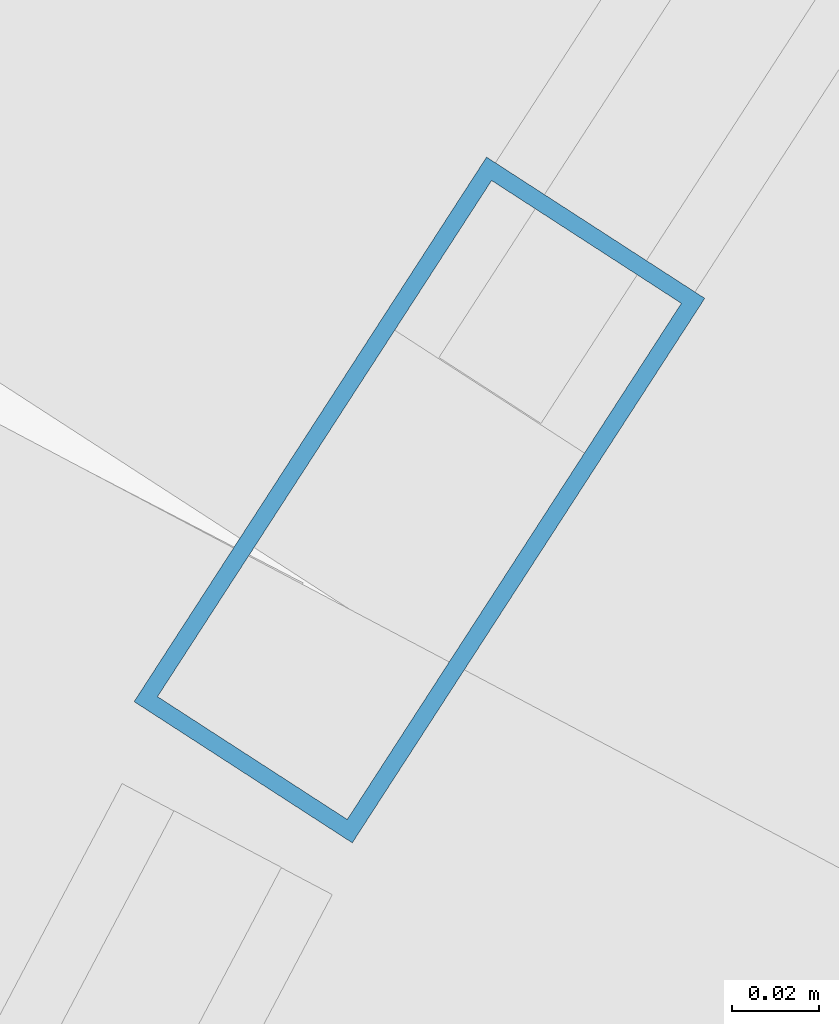
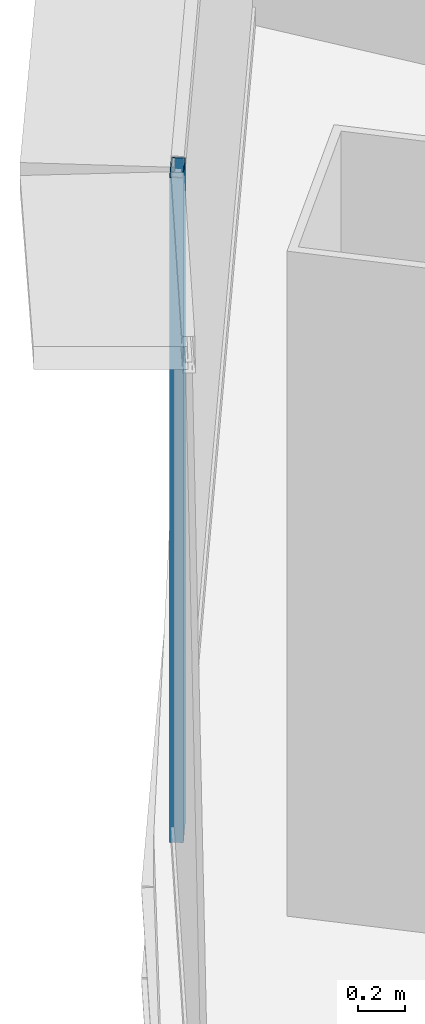
# One storey, part 16 of 39: 1 member, 1 element without a shape of its own.
"""IFC4 building model written with IfcOpenShell, lengths in metres."""

from ifc_helpers import new_model, si_unit, direction, frame, origin, origin_2d, place, context, subcontext, project, spatial, hollow_rectangle, extrude, source, transform, mapped, material, layer, layer_set, material_profile, profile_set, type_object, element, aggregate, save


model = new_model("IFC4")

# Units and contexts
model_context = context("Model", 3, precision=1e-05, world=origin(), true_north=direction((0.0, 1.0)))
body_context = subcontext(model_context, "Body", "Model", "MODEL_VIEW")
ifc_project = project(units=[si_unit("LENGTHUNIT", "METRE"), si_unit("AREAUNIT", "SQUARE_METRE"), si_unit("VOLUMEUNIT", "CUBIC_METRE"), si_unit("PLANEANGLEUNIT", "RADIAN"), si_unit("MASSUNIT", "GRAM", prefix="KILO"), si_unit("THERMODYNAMICTEMPERATUREUNIT", "KELVIN"), si_unit("POWERUNIT", "WATT")], contexts=[model_context])

# Site, building, storey
site_placement = place(None, origin())
site = spatial("IfcSite", under=ifc_project, at=site_placement, CompositionType="ELEMENT")
building_placement = place(site_placement, origin())
building = spatial("IfcBuilding", under=site, at=building_placement, Name="Yunzhuo Pagoda Commons", CompositionType="ELEMENT")
storey_placement = place(building_placement, frame((0.0, 0.0, 166.6298828125)))
storey = spatial("IfcBuildingStorey", under=building, at=storey_placement, Name="L42", CompositionType="ELEMENT", Elevation=166.6298828125)

# Curtain wall, member
ifc_material = material(Name="Anodized aluminium 6063-T6", Category="aluminium")
ifc_layer = layer(ifc_material, 0.14990234375)
ifc_layer_set = layer_set([ifc_layer], Name="Anodized aluminium 6063-T6")
curtain_wall_type = type_object("IfcCurtainWallType", Name="CW-MID Mid-Zone Ribbon Curtain Wall", PredefinedType="NOTDEFINED", material=ifc_layer_set)
curtain_wall_placement = place(storey_placement, origin())
curtain_wall = element("IfcCurtainWall", 1, at=curtain_wall_placement, inside=storey, type_object=curtain_wall_type, Name="L42 curtain wall CW-L42-F3B2", PredefinedType="NOTDEFINED")
ifc_material_profile = material_profile(ifc_material, hollow_rectangle(XDim=0.06005859375, YDim=0.14990234375, WallThickness=0.00390625, at=origin_2d()), Name="Anodized aluminium 6063-T6")
ifc_profile_set = profile_set([ifc_material_profile], Name="Anodized aluminium 6063-T6")
member_type = type_object("IfcMemberType", Name="CW-MID-M Mullion RHS 150x60x4", PredefinedType="MULLION", material=ifc_profile_set)
shared_shape = source(origin(), body_context, "Body", "SweptSolid", [
    extrude(hollow_rectangle(XDim=0.06005859375, YDim=0.14990234375, WallThickness=0.00390625, at=origin_2d()), origin(), (0.0, 0.0, 1.0), 3.420166015625),
])
member_placement = place(storey_placement, frame((23.469970703125, 55.826904296875, 0.0), z_axis=(0.0, 0.0, 1.0), x_axis=(0.839466065689, -0.543412113002, 0.0)))
member = element("IfcMember", 2, at=member_placement, type_object=member_type, Name="CW mullion 2", PredefinedType="MULLION", context=body_context, shape_type="MappedRepresentation", body=[
    mapped(shared_shape, transform((0.0, 0.0, 0.0), scale=1.0)),
])
aggregate(curtain_wall, [member])

save(model, "model.ifc")
